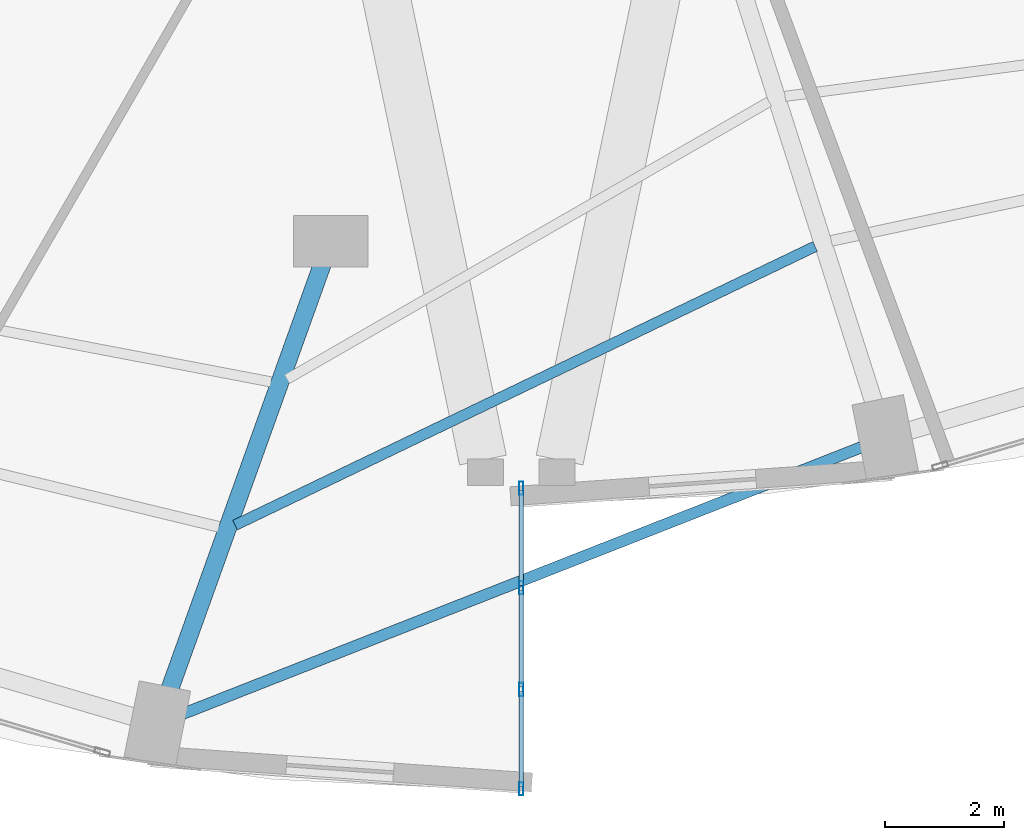
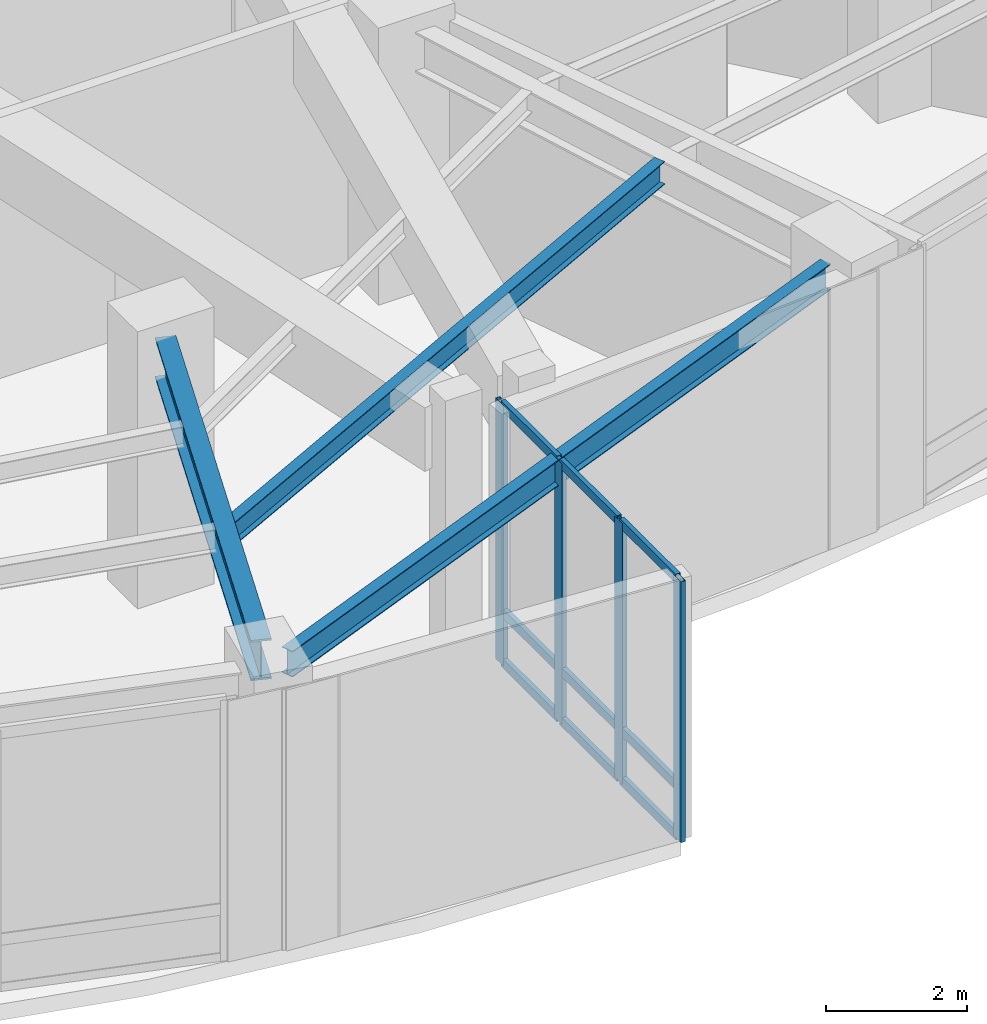
# One storey, part 4 of 24: 13 members, 3 beams, 1 element without a shape of its own.
"""IFC4 building model written with IfcOpenShell, lengths in metres."""

from ifc_helpers import new_model, si_unit, direction, frame, origin, origin_2d, place, context, subcontext, project, spatial, hollow_rectangle, i_section, extrude, material, layer, layer_set, material_profile, profile_set, type_object, element, aggregate, save


model = new_model("IFC4")

# Units and contexts
model_context = context("Model", 3, precision=1e-05, world=origin(), true_north=direction((0.0, 1.0)))
body_context = subcontext(model_context, "Body", "Model", "MODEL_VIEW")
ifc_project = project(units=[si_unit("LENGTHUNIT", "METRE"), si_unit("AREAUNIT", "SQUARE_METRE"), si_unit("VOLUMEUNIT", "CUBIC_METRE"), si_unit("PLANEANGLEUNIT", "RADIAN"), si_unit("MASSUNIT", "GRAM", prefix="KILO")], contexts=[model_context])

# Site, building, storey
site_placement = place(None, origin())
site = spatial("IfcSite", under=ifc_project, at=site_placement, CompositionType="ELEMENT")
building_placement = place(site_placement, origin())
building = spatial("IfcBuilding", under=site, at=building_placement, Name="Lazwardi Medical Tower", CompositionType="ELEMENT")
storey_placement = place(building_placement, frame((0.0, 0.0, 15.60009765625)))
storey = spatial("IfcBuildingStorey", under=building, at=storey_placement, Name="L03", CompositionType="ELEMENT", Elevation=15.60009765625)

# Beams
ifc_material_1 = material(Name="Steel S355", Category="steel")
ifc_material_profile_1 = material_profile(ifc_material_1, i_section(OverallWidth=0.300048828125, OverallDepth=0.699951171875, WebThickness=0.01708984375, FlangeThickness=0.031982421875, at=origin_2d()), Name="HEB 700")
ifc_profile_set_1 = profile_set([ifc_material_profile_1], Name="Steel S355")
beam_type_1 = type_object("IfcBeamType", Name="BM-RG-P1", PredefinedType="BEAM", material=ifc_profile_set_1)
beam_1_placement = place(storey_placement, frame((30.089599609375, 4.2744140625, 4.169921875), z_axis=(0.337851658054, 0.941199371627, 0.0), x_axis=(-0.941199371627, 0.337851658054, 0.0)))
element("IfcBeam", 1, at=beam_1_placement, inside=storey, type_object=beam_type_1, Name="Radial girder RG-01 R16A L03", PredefinedType="BEAM", context=body_context, shape_type="SweptSolid", body=[
    extrude(i_section(OverallWidth=0.300048828125, OverallDepth=0.699951171875, WebThickness=0.01708984375, FlangeThickness=0.031982421875, at=origin_2d()), origin(), (0.0, 0.0, 1.0), 7.622314453125),
])
ifc_material_profile_2 = material_profile(ifc_material_1, i_section(OverallWidth=0.179931640625, OverallDepth=0.39990234375, WebThickness=0.008544921875, FlangeThickness=0.013427734375, at=origin_2d()), Name="IPE 400")
ifc_profile_set_2 = profile_set([ifc_material_profile_2], Name="Steel S355")
beam_type_2 = type_object("IfcBeamType", Name="BM-SJ-01", PredefinedType="JOIST", material=ifc_profile_set_2)
beam_2_placement = place(storey_placement, frame((31.198974609375, 7.0634765625, 4.31982421875), z_axis=(0.901314400899, 0.433165500394, 0.0), x_axis=(-0.433165500394, 0.901314400899, 0.0)))
element("IfcBeam", 2, at=beam_2_placement, inside=storey, type_object=beam_type_2, Name="Secondary joist SJ-01 RO1 B16 L03", PredefinedType="JOIST", context=body_context, shape_type="SweptSolid", body=[
    extrude(i_section(OverallWidth=0.179931640625, OverallDepth=0.39990234375, WebThickness=0.008544921875, FlangeThickness=0.013427734375, at=origin_2d()), origin(), (0.0, 0.0, 1.0), 10.796142578125),
])
ifc_material_profile_3 = material_profile(ifc_material_1, i_section(OverallWidth=0.18994140625, OverallDepth=0.449951171875, WebThickness=0.009521484375, FlangeThickness=0.0146484375, at=origin_2d()), Name="IPE 450")
ifc_profile_set_3 = profile_set([ifc_material_profile_3], Name="Steel S355")
beam_type_3 = type_object("IfcBeamType", Name="BM-SP-01", PredefinedType="SPANDREL", material=ifc_profile_set_3)
beam_3_placement = place(storey_placement, frame((30.2939453125, 3.8857421875, 4.294921875), z_axis=(0.930695337123, 0.365795283536, 0.0), x_axis=(-0.365795283536, 0.930695337123, 0.0)))
element("IfcBeam", 3, at=beam_3_placement, inside=storey, type_object=beam_type_3, Name="Spandrel beam SP-01 B16 L03", PredefinedType="SPANDREL", context=body_context, shape_type="SweptSolid", body=[
    extrude(i_section(OverallWidth=0.18994140625, OverallDepth=0.449951171875, WebThickness=0.009521484375, FlangeThickness=0.0146484375, at=origin_2d()), origin(), (0.0, 0.0, 1.0), 12.261962890625),
])

# Curtain wall, members
ifc_material_2 = material(Name="Anodised bronze aluminium and solar control glazing", Category="aluminium")
ifc_layer = layer(ifc_material_2, 0.2099609375)
ifc_layer_set = layer_set([ifc_layer], Name="Anodised bronze aluminium and solar control glazing")
curtain_wall_type = type_object("IfcCurtainWallType", Name="CW-SYS-06", PredefinedType="NOTDEFINED", material=ifc_layer_set)
curtain_wall_placement = place(storey_placement, origin())
curtain_wall = element("IfcCurtainWall", 4, at=curtain_wall_placement, inside=storey, type_object=curtain_wall_type, Name="L03 Unitised bronze curtain wall CW-06", PredefinedType="NOTDEFINED")
ifc_material_3 = material(Name="Anodised bronze aluminium", Category="aluminium")
ifc_material_profile_4 = material_profile(ifc_material_3, hollow_rectangle(XDim=0.074951171875, YDim=0.219970703125, WallThickness=0.00390625, at=origin_2d()), Name="ALU-MULLION 220x75x4")
ifc_profile_set_4 = profile_set([ifc_material_profile_4], Name="Anodised bronze aluminium")
member_type_1 = type_object("IfcMemberType", Name="CW-MUL-01", PredefinedType="MULLION", material=ifc_profile_set_4)
member_1_placement = place(storey_placement, frame((36.0, 2.637451171875, 0.0), z_axis=(0.0, 0.0, 1.0), x_axis=(-1.0, 0.0, 0.0)))
member_1 = element("IfcMember", 5, at=member_1_placement, type_object=member_type_1, Name="CW-06 mullion 1", PredefinedType="MULLION", context=body_context, shape_type="SweptSolid", body=[
    extrude(hollow_rectangle(XDim=0.074951171875, YDim=0.219970703125, WallThickness=0.00390625, at=origin_2d()), origin(), (0.0, 0.0, 1.0), 4.52001953125),
])
member_2_placement = place(storey_placement, frame((36.0, 4.306640625, 0.0), z_axis=(0.0, 0.0, 1.0), x_axis=(-1.0, 0.0, 0.0)))
member_2 = element("IfcMember", 6, at=member_2_placement, type_object=member_type_1, Name="CW-06 mullion 2", PredefinedType="MULLION", context=body_context, shape_type="SweptSolid", body=[
    extrude(hollow_rectangle(XDim=0.074951171875, YDim=0.219970703125, WallThickness=0.00390625, at=origin_2d()), origin(), (0.0, 0.0, 1.0), 4.52001953125),
])
member_3_placement = place(storey_placement, frame((36.0, 6.013427734375, 0.0), z_axis=(0.0, 0.0, 1.0), x_axis=(-1.0, 0.0, 0.0)))
member_3 = element("IfcMember", 7, at=member_3_placement, type_object=member_type_1, Name="CW-06 mullion 3", PredefinedType="MULLION", context=body_context, shape_type="SweptSolid", body=[
    extrude(hollow_rectangle(XDim=0.074951171875, YDim=0.219970703125, WallThickness=0.00390625, at=origin_2d()), origin(), (0.0, 0.0, 1.0), 4.52001953125),
])
member_4_placement = place(storey_placement, frame((36.0, 7.6826171875, 0.0), z_axis=(0.0, 0.0, 1.0), x_axis=(-1.0, 0.0, 0.0)))
member_4 = element("IfcMember", 8, at=member_4_placement, type_object=member_type_1, Name="CW-06 mullion 4", PredefinedType="MULLION", context=body_context, shape_type="SweptSolid", body=[
    extrude(hollow_rectangle(XDim=0.074951171875, YDim=0.219970703125, WallThickness=0.00390625, at=origin_2d()), origin(), (0.0, 0.0, 1.0), 4.52001953125),
])
ifc_material_profile_5 = material_profile(ifc_material_3, hollow_rectangle(XDim=0.074951171875, YDim=0.159912109375, WallThickness=0.00390625, at=origin_2d()), Name="ALU-TRANSOM 160x75x4")
ifc_profile_set_5 = profile_set([ifc_material_profile_5], Name="Anodised bronze aluminium")
member_type_2 = type_object("IfcMemberType", Name="CW-TRN-01", PredefinedType="USERDEFINED", material=ifc_profile_set_5)
member_5_placement = place(storey_placement, frame((36.0, 2.675048828125, 0.037353515625), z_axis=(0.0, 1.0, 0.0), x_axis=(-1.0, 0.0, 0.0)))
member_5 = element("IfcMember", 9, at=member_5_placement, type_object=member_type_2, Name="CW-06 transom 1.1", ObjectType="TRANSOM", PredefinedType="USERDEFINED", context=body_context, shape_type="SweptSolid", body=[
    extrude(hollow_rectangle(XDim=0.074951171875, YDim=0.159912109375, WallThickness=0.00390625, at=origin_2d()), origin(), (0.0, 0.0, 1.0), 1.59423828125),
])
member_6_placement = place(storey_placement, frame((36.0, 2.675048828125, 0.89990234375), z_axis=(0.0, 1.0, 0.0), x_axis=(-1.0, 0.0, 0.0)))
member_6 = element("IfcMember", 10, at=member_6_placement, type_object=member_type_2, Name="CW-06 transom 1.2", ObjectType="TRANSOM", PredefinedType="USERDEFINED", context=body_context, shape_type="SweptSolid", body=[
    extrude(hollow_rectangle(XDim=0.074951171875, YDim=0.159912109375, WallThickness=0.00390625, at=origin_2d()), origin(), (0.0, 0.0, 1.0), 1.59423828125),
])
member_7_placement = place(storey_placement, frame((36.0, 2.675048828125, 4.482421875), z_axis=(0.0, 1.0, 0.0), x_axis=(-1.0, 0.0, 0.0)))
member_7 = element("IfcMember", 11, at=member_7_placement, type_object=member_type_2, Name="CW-06 transom 1.3", ObjectType="TRANSOM", PredefinedType="USERDEFINED", context=body_context, shape_type="SweptSolid", body=[
    extrude(hollow_rectangle(XDim=0.074951171875, YDim=0.159912109375, WallThickness=0.00390625, at=origin_2d()), origin(), (0.0, 0.0, 1.0), 1.59423828125),
])
member_8_placement = place(storey_placement, frame((36.0, 4.34423828125, 0.037353515625), z_axis=(0.0, 1.0, 0.0), x_axis=(-1.0, 0.0, 0.0)))
member_8 = element("IfcMember", 12, at=member_8_placement, type_object=member_type_2, Name="CW-06 transom 2.1", ObjectType="TRANSOM", PredefinedType="USERDEFINED", context=body_context, shape_type="SweptSolid", body=[
    extrude(hollow_rectangle(XDim=0.074951171875, YDim=0.159912109375, WallThickness=0.00390625, at=origin_2d()), origin(), (0.0, 0.0, 1.0), 1.631591796875),
])
member_9_placement = place(storey_placement, frame((36.0, 4.34423828125, 0.89990234375), z_axis=(0.0, 1.0, 0.0), x_axis=(-1.0, 0.0, 0.0)))
member_9 = element("IfcMember", 13, at=member_9_placement, type_object=member_type_2, Name="CW-06 transom 2.2", ObjectType="TRANSOM", PredefinedType="USERDEFINED", context=body_context, shape_type="SweptSolid", body=[
    extrude(hollow_rectangle(XDim=0.074951171875, YDim=0.159912109375, WallThickness=0.00390625, at=origin_2d()), origin(), (0.0, 0.0, 1.0), 1.631591796875),
])
member_10_placement = place(storey_placement, frame((36.0, 4.34423828125, 4.482421875), z_axis=(0.0, 1.0, 0.0), x_axis=(-1.0, 0.0, 0.0)))
member_10 = element("IfcMember", 14, at=member_10_placement, type_object=member_type_2, Name="CW-06 transom 2.3", ObjectType="TRANSOM", PredefinedType="USERDEFINED", context=body_context, shape_type="SweptSolid", body=[
    extrude(hollow_rectangle(XDim=0.074951171875, YDim=0.159912109375, WallThickness=0.00390625, at=origin_2d()), origin(), (0.0, 0.0, 1.0), 1.631591796875),
])
member_11_placement = place(storey_placement, frame((36.0, 6.05078125, 0.037353515625), z_axis=(0.0, 1.0, 0.0), x_axis=(-1.0, 0.0, 0.0)))
member_11 = element("IfcMember", 15, at=member_11_placement, type_object=member_type_2, Name="CW-06 transom 3.1", ObjectType="TRANSOM", PredefinedType="USERDEFINED", context=body_context, shape_type="SweptSolid", body=[
    extrude(hollow_rectangle(XDim=0.074951171875, YDim=0.159912109375, WallThickness=0.00390625, at=origin_2d()), origin(), (0.0, 0.0, 1.0), 1.59423828125),
])
member_12_placement = place(storey_placement, frame((36.0, 6.05078125, 0.89990234375), z_axis=(0.0, 1.0, 0.0), x_axis=(-1.0, 0.0, 0.0)))
member_12 = element("IfcMember", 16, at=member_12_placement, type_object=member_type_2, Name="CW-06 transom 3.2", ObjectType="TRANSOM", PredefinedType="USERDEFINED", context=body_context, shape_type="SweptSolid", body=[
    extrude(hollow_rectangle(XDim=0.074951171875, YDim=0.159912109375, WallThickness=0.00390625, at=origin_2d()), origin(), (0.0, 0.0, 1.0), 1.59423828125),
])
member_13_placement = place(storey_placement, frame((36.0, 6.05078125, 4.482421875), z_axis=(0.0, 1.0, 0.0), x_axis=(-1.0, 0.0, 0.0)))
member_13 = element("IfcMember", 17, at=member_13_placement, type_object=member_type_2, Name="CW-06 transom 3.3", ObjectType="TRANSOM", PredefinedType="USERDEFINED", context=body_context, shape_type="SweptSolid", body=[
    extrude(hollow_rectangle(XDim=0.074951171875, YDim=0.159912109375, WallThickness=0.00390625, at=origin_2d()), origin(), (0.0, 0.0, 1.0), 1.59423828125),
])
aggregate(curtain_wall, [member_1, member_2, member_3, member_4, member_5, member_6, member_7, member_8, member_9, member_10, member_11, member_12, member_13])

save(model, "model.ifc")
